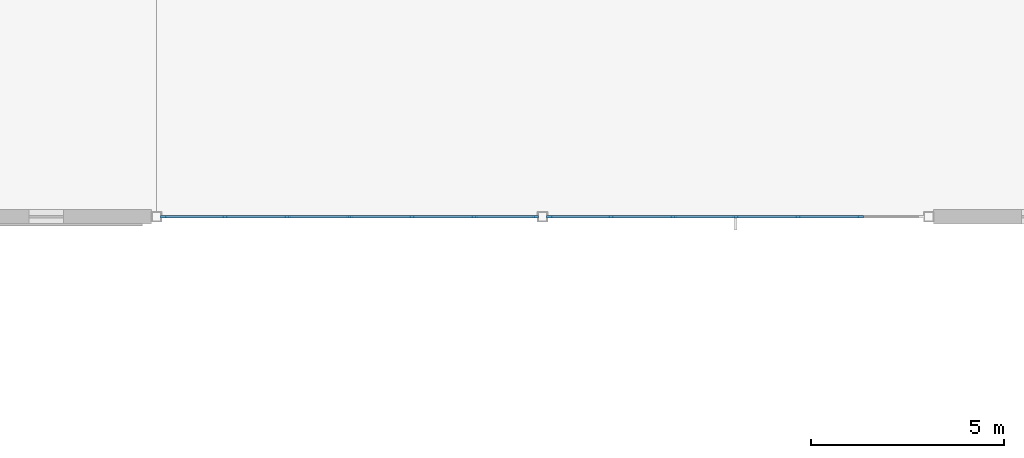
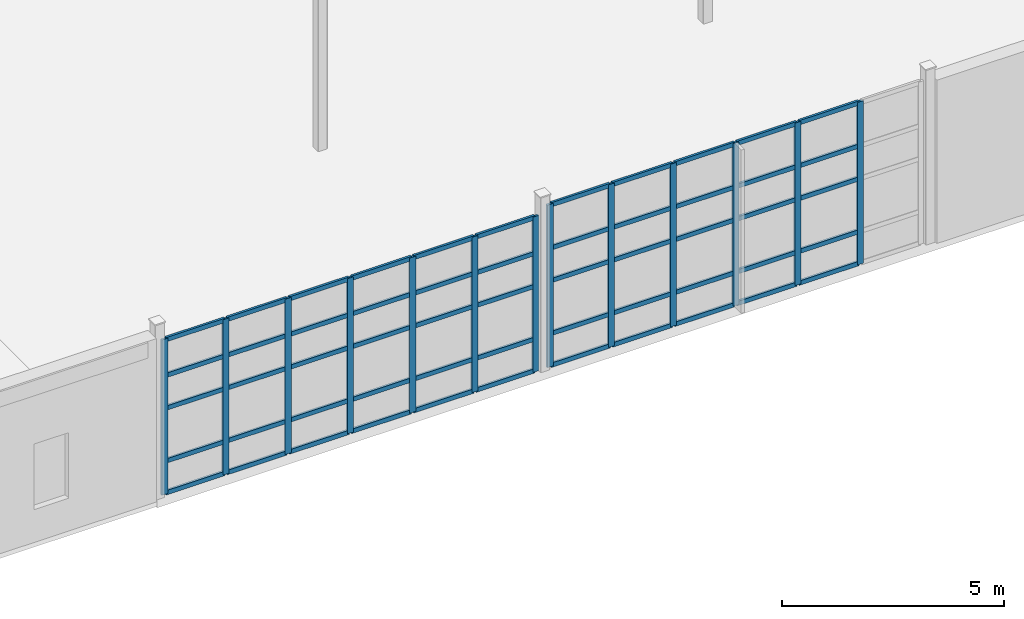
# One storey, part 37 of 139: 68 members, 2 elements without a shape of their own.
"""IFC4 building model written with IfcOpenShell, lengths in metres."""

from ifc_helpers import new_model, si_unit, direction, frame, origin, origin_2d, place, context, subcontext, project, spatial, rectangle, extrude, material, layer, layer_set, material_profile, profile_set, type_object, element, aggregate, save


model = new_model("IFC4")

# Units and contexts
model_context = context("Model", 3, precision=1e-05, world=origin(), true_north=direction((0.0, 1.0)))
body_context = subcontext(model_context, "Body", "Model", "MODEL_VIEW")
ifc_project = project(units=[si_unit("LENGTHUNIT", "METRE"), si_unit("AREAUNIT", "SQUARE_METRE"), si_unit("VOLUMEUNIT", "CUBIC_METRE"), si_unit("PLANEANGLEUNIT", "RADIAN"), si_unit("MASSUNIT", "GRAM", prefix="KILO"), si_unit("THERMODYNAMICTEMPERATUREUNIT", "KELVIN"), si_unit("POWERUNIT", "WATT")], contexts=[model_context])

# Site, building, storey
site_placement = place(None, origin())
site = spatial("IfcSite", under=ifc_project, at=site_placement, CompositionType="ELEMENT")
building_placement = place(site_placement, origin())
building = spatial("IfcBuilding", under=site, at=building_placement, Name="Korenveer Ferry Terminal", CompositionType="ELEMENT")
storey_placement = place(building_placement, frame((0.0, 0.0, 5.39990234375)))
storey = spatial("IfcBuildingStorey", under=building, at=storey_placement, Name="L01", CompositionType="ELEMENT", Elevation=5.39990234375)

# Curtain wall, members
ifc_material_1 = material(Name="Unitised bronze-and-glass curtain wall", Category="glass")
ifc_layer_1 = layer(ifc_material_1, 0.159912109375)
ifc_layer_set_1 = layer_set([ifc_layer_1], Name="Unitised bronze-and-glass curtain wall")
curtain_wall_type_1 = type_object("IfcCurtainWallType", Name="ENV-CW-40", PredefinedType="USERDEFINED", material=ifc_layer_set_1)
curtain_wall_1_placement = place(storey_placement, frame((73.155029296875, 20.0, 0.0)))
curtain_wall_1 = element("IfcCurtainWall", 1, at=curtain_wall_1_placement, inside=storey, type_object=curtain_wall_type_1, Name="Lancet curtain wall CWX-L01-X73-83-Y20-20", ObjectType="UNITISED CURTAIN WALL", PredefinedType="USERDEFINED")
ifc_material_2 = material(Name="Anodised bronze aluminium", Category="aluminium")
ifc_material_profile_1 = material_profile(ifc_material_2, rectangle(XDim=0.06005859375, YDim=0.159912109375, at=origin_2d()), Name="ALU 60x160")
ifc_profile_set_1 = profile_set([ifc_material_profile_1], Name="Anodised bronze aluminium")
member_type_1 = type_object("IfcMemberType", Name="ENV-CWM-60X160", PredefinedType="MULLION", material=ifc_profile_set_1)
member_1_placement = place(storey_placement, frame((73.18505859375, 20.0, 0.0), z_axis=(0.0, 0.0, 1.0), x_axis=(0.0, 1.0, 0.0)))
member_1 = element("IfcMember", 2, at=member_1_placement, type_object=member_type_1, Name="CW-40 mullion 1", PredefinedType="MULLION", context=body_context, shape_type="SweptSolid", body=[
    extrude(rectangle(XDim=0.06005859375, YDim=0.159912109375, at=origin_2d()), origin(), (0.0, 0.0, 1.0), 4.260009765625),
])
member_2_placement = place(storey_placement, frame((74.77001953125, 20.0, 0.0), z_axis=(0.0, 0.0, 1.0), x_axis=(0.0, 1.0, 0.0)))
member_2 = element("IfcMember", 3, at=member_2_placement, type_object=member_type_1, Name="CW-40 mullion 2", PredefinedType="MULLION", context=body_context, shape_type="SweptSolid", body=[
    extrude(rectangle(XDim=0.06005859375, YDim=0.159912109375, at=origin_2d()), origin(), (0.0, 0.0, 1.0), 4.260009765625),
])
member_3_placement = place(storey_placement, frame((76.385009765625, 20.0, 0.0), z_axis=(0.0, 0.0, 1.0), x_axis=(0.0, 1.0, 0.0)))
member_3 = element("IfcMember", 4, at=member_3_placement, type_object=member_type_1, Name="CW-40 mullion 3", PredefinedType="MULLION", context=body_context, shape_type="SweptSolid", body=[
    extrude(rectangle(XDim=0.06005859375, YDim=0.159912109375, at=origin_2d()), origin(), (0.0, 0.0, 1.0), 4.260009765625),
])
member_4_placement = place(storey_placement, frame((78.0, 20.0, 0.0), z_axis=(0.0, 0.0, 1.0), x_axis=(0.0, 1.0, 0.0)))
member_4 = element("IfcMember", 5, at=member_4_placement, type_object=member_type_1, Name="CW-40 mullion 4", PredefinedType="MULLION", context=body_context, shape_type="SweptSolid", body=[
    extrude(rectangle(XDim=0.06005859375, YDim=0.159912109375, at=origin_2d()), origin(), (0.0, 0.0, 1.0), 4.260009765625),
])
member_5_placement = place(storey_placement, frame((79.614990234375, 20.0, 0.0), z_axis=(0.0, 0.0, 1.0), x_axis=(0.0, 1.0, 0.0)))
member_5 = element("IfcMember", 6, at=member_5_placement, type_object=member_type_1, Name="CW-40 mullion 5", PredefinedType="MULLION", context=body_context, shape_type="SweptSolid", body=[
    extrude(rectangle(XDim=0.06005859375, YDim=0.159912109375, at=origin_2d()), origin(), (0.0, 0.0, 1.0), 4.260009765625),
])
member_6_placement = place(storey_placement, frame((81.22998046875, 20.0, 0.0), z_axis=(0.0, 0.0, 1.0), x_axis=(0.0, 1.0, 0.0)))
member_6 = element("IfcMember", 7, at=member_6_placement, type_object=member_type_1, Name="CW-40 mullion 6", PredefinedType="MULLION", context=body_context, shape_type="SweptSolid", body=[
    extrude(rectangle(XDim=0.06005859375, YDim=0.159912109375, at=origin_2d()), origin(), (0.0, 0.0, 1.0), 4.260009765625),
])
member_7_placement = place(storey_placement, frame((82.81494140625, 20.0, 0.0), z_axis=(0.0, 0.0, 1.0), x_axis=(0.0, 1.0, 0.0)))
member_7 = element("IfcMember", 8, at=member_7_placement, type_object=member_type_1, Name="CW-40 mullion 7", PredefinedType="MULLION", context=body_context, shape_type="SweptSolid", body=[
    extrude(rectangle(XDim=0.06005859375, YDim=0.159912109375, at=origin_2d()), origin(), (0.0, 0.0, 1.0), 4.260009765625),
])

ifc_layer_2 = layer(ifc_material_1, 0.159912109375)
ifc_layer_set_2 = layer_set([ifc_layer_2], Name="Unitised bronze-and-glass curtain wall")
curtain_wall_type_2 = type_object("IfcCurtainWallType", Name="ENV-CW-41", PredefinedType="USERDEFINED", material=ifc_layer_set_2)
curtain_wall_2_placement = place(storey_placement, frame((83.155029296875, 20.0, 0.0)))
curtain_wall_2 = element("IfcCurtainWall", 9, at=curtain_wall_2_placement, inside=storey, type_object=curtain_wall_type_2, Name="Lancet curtain wall CWX-L01-X83-93-Y20-20", ObjectType="UNITISED CURTAIN WALL", PredefinedType="USERDEFINED")
member_8_placement = place(storey_placement, frame((83.18505859375, 20.0, 0.0), z_axis=(0.0, 0.0, 1.0), x_axis=(0.0, 1.0, 0.0)))
member_8 = element("IfcMember", 10, at=member_8_placement, type_object=member_type_1, Name="CW-41 mullion 1", PredefinedType="MULLION", context=body_context, shape_type="SweptSolid", body=[
    extrude(rectangle(XDim=0.06005859375, YDim=0.159912109375, at=origin_2d()), origin(), (0.0, 0.0, 1.0), 4.460205078125),
])
member_9_placement = place(storey_placement, frame((84.77001953125, 20.0, 0.0), z_axis=(0.0, 0.0, 1.0), x_axis=(0.0, 1.0, 0.0)))
member_9 = element("IfcMember", 11, at=member_9_placement, type_object=member_type_1, Name="CW-41 mullion 2", PredefinedType="MULLION", context=body_context, shape_type="SweptSolid", body=[
    extrude(rectangle(XDim=0.06005859375, YDim=0.159912109375, at=origin_2d()), origin(), (0.0, 0.0, 1.0), 4.460205078125),
])
member_10_placement = place(storey_placement, frame((86.385009765625, 20.0, 0.0), z_axis=(0.0, 0.0, 1.0), x_axis=(0.0, 1.0, 0.0)))
member_10 = element("IfcMember", 12, at=member_10_placement, type_object=member_type_1, Name="CW-41 mullion 3", PredefinedType="MULLION", context=body_context, shape_type="SweptSolid", body=[
    extrude(rectangle(XDim=0.06005859375, YDim=0.159912109375, at=origin_2d()), origin(), (0.0, 0.0, 1.0), 4.460205078125),
])
member_11_placement = place(storey_placement, frame((88.0, 20.0, 0.0), z_axis=(0.0, 0.0, 1.0), x_axis=(0.0, 1.0, 0.0)))
member_11 = element("IfcMember", 13, at=member_11_placement, type_object=member_type_1, Name="CW-41 mullion 4", PredefinedType="MULLION", context=body_context, shape_type="SweptSolid", body=[
    extrude(rectangle(XDim=0.06005859375, YDim=0.159912109375, at=origin_2d()), origin(), (0.0, 0.0, 1.0), 4.460205078125),
])
member_12_placement = place(storey_placement, frame((89.614990234375, 20.0, 0.0), z_axis=(0.0, 0.0, 1.0), x_axis=(0.0, 1.0, 0.0)))
member_12 = element("IfcMember", 14, at=member_12_placement, type_object=member_type_1, Name="CW-41 mullion 5", PredefinedType="MULLION", context=body_context, shape_type="SweptSolid", body=[
    extrude(rectangle(XDim=0.06005859375, YDim=0.159912109375, at=origin_2d()), origin(), (0.0, 0.0, 1.0), 4.460205078125),
])
member_13_placement = place(storey_placement, frame((91.22998046875, 20.0, 0.0), z_axis=(0.0, 0.0, 1.0), x_axis=(0.0, 1.0, 0.0)))
member_13 = element("IfcMember", 15, at=member_13_placement, type_object=member_type_1, Name="CW-41 mullion 6", PredefinedType="MULLION", context=body_context, shape_type="SweptSolid", body=[
    extrude(rectangle(XDim=0.06005859375, YDim=0.159912109375, at=origin_2d()), origin(), (0.0, 0.0, 1.0), 4.460205078125),
])

# Member
ifc_material_profile_2 = material_profile(ifc_material_2, rectangle(XDim=0.06005859375, YDim=0.1201171875, at=origin_2d()), Name="ALU 60x120")
ifc_profile_set_2 = profile_set([ifc_material_profile_2], Name="Anodised bronze aluminium")
member_type_2 = type_object("IfcMemberType", Name="ENV-CWT-60X120", PredefinedType="USERDEFINED", material=ifc_profile_set_2)
member_14_placement = place(storey_placement, frame((73.215087890625, 20.0, 0.030029296875), z_axis=(1.0, 0.0, 0.0), x_axis=(0.0, 1.0, 0.0)))
member_14 = element("IfcMember", 16, at=member_14_placement, type_object=member_type_2, Name="CW-40 transom 1.1", ObjectType="TRANSOM", PredefinedType="USERDEFINED", context=body_context, shape_type="SweptSolid", body=[
    extrude(rectangle(XDim=0.06005859375, YDim=0.1201171875, at=origin_2d()), origin(), (0.0, 0.0, 1.0), 1.52490234375),
])

member_15_placement = place(storey_placement, frame((73.215087890625, 20.0, 0.900146484375), z_axis=(1.0, 0.0, 0.0), x_axis=(0.0, 1.0, 0.0)))
member_15 = element("IfcMember", 17, at=member_15_placement, type_object=member_type_2, Name="CW-40 transom 1.2", ObjectType="TRANSOM", PredefinedType="USERDEFINED", context=body_context, shape_type="SweptSolid", body=[
    extrude(rectangle(XDim=0.06005859375, YDim=0.1201171875, at=origin_2d()), origin(), (0.0, 0.0, 1.0), 1.52490234375),
])

member_16_placement = place(storey_placement, frame((73.215087890625, 20.0, 2.35009765625), z_axis=(1.0, 0.0, 0.0), x_axis=(0.0, 1.0, 0.0)))
member_16 = element("IfcMember", 18, at=member_16_placement, type_object=member_type_2, Name="CW-40 transom 1.3", ObjectType="TRANSOM", PredefinedType="USERDEFINED", context=body_context, shape_type="SweptSolid", body=[
    extrude(rectangle(XDim=0.06005859375, YDim=0.1201171875, at=origin_2d()), origin(), (0.0, 0.0, 1.0), 1.52490234375),
])

member_17_placement = place(storey_placement, frame((73.215087890625, 20.0, 3.25), z_axis=(1.0, 0.0, 0.0), x_axis=(0.0, 1.0, 0.0)))
member_17 = element("IfcMember", 19, at=member_17_placement, type_object=member_type_2, Name="CW-40 transom 1.4", ObjectType="TRANSOM", PredefinedType="USERDEFINED", context=body_context, shape_type="SweptSolid", body=[
    extrude(rectangle(XDim=0.06005859375, YDim=0.1201171875, at=origin_2d()), origin(), (0.0, 0.0, 1.0), 1.52490234375),
])

member_18_placement = place(storey_placement, frame((73.215087890625, 20.0, 4.22998046875), z_axis=(1.0, 0.0, 0.0), x_axis=(0.0, 1.0, 0.0)))
member_18 = element("IfcMember", 20, at=member_18_placement, type_object=member_type_2, Name="CW-40 transom 1.5", ObjectType="TRANSOM", PredefinedType="USERDEFINED", context=body_context, shape_type="SweptSolid", body=[
    extrude(rectangle(XDim=0.06005859375, YDim=0.1201171875, at=origin_2d()), origin(), (0.0, 0.0, 1.0), 1.52490234375),
])

member_19_placement = place(storey_placement, frame((74.800048828125, 20.0, 0.030029296875), z_axis=(1.0, 0.0, 0.0), x_axis=(0.0, 1.0, 0.0)))
member_19 = element("IfcMember", 21, at=member_19_placement, type_object=member_type_2, Name="CW-40 transom 2.1", ObjectType="TRANSOM", PredefinedType="USERDEFINED", context=body_context, shape_type="SweptSolid", body=[
    extrude(rectangle(XDim=0.06005859375, YDim=0.1201171875, at=origin_2d()), origin(), (0.0, 0.0, 1.0), 1.554931640625),
])

member_20_placement = place(storey_placement, frame((74.800048828125, 20.0, 0.900146484375), z_axis=(1.0, 0.0, 0.0), x_axis=(0.0, 1.0, 0.0)))
member_20 = element("IfcMember", 22, at=member_20_placement, type_object=member_type_2, Name="CW-40 transom 2.2", ObjectType="TRANSOM", PredefinedType="USERDEFINED", context=body_context, shape_type="SweptSolid", body=[
    extrude(rectangle(XDim=0.06005859375, YDim=0.1201171875, at=origin_2d()), origin(), (0.0, 0.0, 1.0), 1.554931640625),
])

member_21_placement = place(storey_placement, frame((74.800048828125, 20.0, 2.35009765625), z_axis=(1.0, 0.0, 0.0), x_axis=(0.0, 1.0, 0.0)))
member_21 = element("IfcMember", 23, at=member_21_placement, type_object=member_type_2, Name="CW-40 transom 2.3", ObjectType="TRANSOM", PredefinedType="USERDEFINED", context=body_context, shape_type="SweptSolid", body=[
    extrude(rectangle(XDim=0.06005859375, YDim=0.1201171875, at=origin_2d()), origin(), (0.0, 0.0, 1.0), 1.554931640625),
])

member_22_placement = place(storey_placement, frame((74.800048828125, 20.0, 3.25), z_axis=(1.0, 0.0, 0.0), x_axis=(0.0, 1.0, 0.0)))
member_22 = element("IfcMember", 24, at=member_22_placement, type_object=member_type_2, Name="CW-40 transom 2.4", ObjectType="TRANSOM", PredefinedType="USERDEFINED", context=body_context, shape_type="SweptSolid", body=[
    extrude(rectangle(XDim=0.06005859375, YDim=0.1201171875, at=origin_2d()), origin(), (0.0, 0.0, 1.0), 1.554931640625),
])

member_23_placement = place(storey_placement, frame((74.800048828125, 20.0, 4.22998046875), z_axis=(1.0, 0.0, 0.0), x_axis=(0.0, 1.0, 0.0)))
member_23 = element("IfcMember", 25, at=member_23_placement, type_object=member_type_2, Name="CW-40 transom 2.5", ObjectType="TRANSOM", PredefinedType="USERDEFINED", context=body_context, shape_type="SweptSolid", body=[
    extrude(rectangle(XDim=0.06005859375, YDim=0.1201171875, at=origin_2d()), origin(), (0.0, 0.0, 1.0), 1.554931640625),
])

member_24_placement = place(storey_placement, frame((76.4150390625, 20.0, 0.030029296875), z_axis=(1.0, 0.0, 0.0), x_axis=(0.0, 1.0, 0.0)))
member_24 = element("IfcMember", 26, at=member_24_placement, type_object=member_type_2, Name="CW-40 transom 3.1", ObjectType="TRANSOM", PredefinedType="USERDEFINED", context=body_context, shape_type="SweptSolid", body=[
    extrude(rectangle(XDim=0.06005859375, YDim=0.1201171875, at=origin_2d()), origin(), (0.0, 0.0, 1.0), 1.554931640625),
])

member_25_placement = place(storey_placement, frame((76.4150390625, 20.0, 0.900146484375), z_axis=(1.0, 0.0, 0.0), x_axis=(0.0, 1.0, 0.0)))
member_25 = element("IfcMember", 27, at=member_25_placement, type_object=member_type_2, Name="CW-40 transom 3.2", ObjectType="TRANSOM", PredefinedType="USERDEFINED", context=body_context, shape_type="SweptSolid", body=[
    extrude(rectangle(XDim=0.06005859375, YDim=0.1201171875, at=origin_2d()), origin(), (0.0, 0.0, 1.0), 1.554931640625),
])

member_26_placement = place(storey_placement, frame((76.4150390625, 20.0, 2.35009765625), z_axis=(1.0, 0.0, 0.0), x_axis=(0.0, 1.0, 0.0)))
member_26 = element("IfcMember", 28, at=member_26_placement, type_object=member_type_2, Name="CW-40 transom 3.3", ObjectType="TRANSOM", PredefinedType="USERDEFINED", context=body_context, shape_type="SweptSolid", body=[
    extrude(rectangle(XDim=0.06005859375, YDim=0.1201171875, at=origin_2d()), origin(), (0.0, 0.0, 1.0), 1.554931640625),
])

member_27_placement = place(storey_placement, frame((76.4150390625, 20.0, 3.25), z_axis=(1.0, 0.0, 0.0), x_axis=(0.0, 1.0, 0.0)))
member_27 = element("IfcMember", 29, at=member_27_placement, type_object=member_type_2, Name="CW-40 transom 3.4", ObjectType="TRANSOM", PredefinedType="USERDEFINED", context=body_context, shape_type="SweptSolid", body=[
    extrude(rectangle(XDim=0.06005859375, YDim=0.1201171875, at=origin_2d()), origin(), (0.0, 0.0, 1.0), 1.554931640625),
])

member_28_placement = place(storey_placement, frame((76.4150390625, 20.0, 4.22998046875), z_axis=(1.0, 0.0, 0.0), x_axis=(0.0, 1.0, 0.0)))
member_28 = element("IfcMember", 30, at=member_28_placement, type_object=member_type_2, Name="CW-40 transom 3.5", ObjectType="TRANSOM", PredefinedType="USERDEFINED", context=body_context, shape_type="SweptSolid", body=[
    extrude(rectangle(XDim=0.06005859375, YDim=0.1201171875, at=origin_2d()), origin(), (0.0, 0.0, 1.0), 1.554931640625),
])

member_29_placement = place(storey_placement, frame((78.030029296875, 20.0, 0.030029296875), z_axis=(1.0, 0.0, 0.0), x_axis=(0.0, 1.0, 0.0)))
member_29 = element("IfcMember", 31, at=member_29_placement, type_object=member_type_2, Name="CW-40 transom 4.1", ObjectType="TRANSOM", PredefinedType="USERDEFINED", context=body_context, shape_type="SweptSolid", body=[
    extrude(rectangle(XDim=0.06005859375, YDim=0.1201171875, at=origin_2d()), origin(), (0.0, 0.0, 1.0), 1.554931640625),
])

member_30_placement = place(storey_placement, frame((78.030029296875, 20.0, 0.900146484375), z_axis=(1.0, 0.0, 0.0), x_axis=(0.0, 1.0, 0.0)))
member_30 = element("IfcMember", 32, at=member_30_placement, type_object=member_type_2, Name="CW-40 transom 4.2", ObjectType="TRANSOM", PredefinedType="USERDEFINED", context=body_context, shape_type="SweptSolid", body=[
    extrude(rectangle(XDim=0.06005859375, YDim=0.1201171875, at=origin_2d()), origin(), (0.0, 0.0, 1.0), 1.554931640625),
])

member_31_placement = place(storey_placement, frame((78.030029296875, 20.0, 2.35009765625), z_axis=(1.0, 0.0, 0.0), x_axis=(0.0, 1.0, 0.0)))
member_31 = element("IfcMember", 33, at=member_31_placement, type_object=member_type_2, Name="CW-40 transom 4.3", ObjectType="TRANSOM", PredefinedType="USERDEFINED", context=body_context, shape_type="SweptSolid", body=[
    extrude(rectangle(XDim=0.06005859375, YDim=0.1201171875, at=origin_2d()), origin(), (0.0, 0.0, 1.0), 1.554931640625),
])

member_32_placement = place(storey_placement, frame((78.030029296875, 20.0, 3.25), z_axis=(1.0, 0.0, 0.0), x_axis=(0.0, 1.0, 0.0)))
member_32 = element("IfcMember", 34, at=member_32_placement, type_object=member_type_2, Name="CW-40 transom 4.4", ObjectType="TRANSOM", PredefinedType="USERDEFINED", context=body_context, shape_type="SweptSolid", body=[
    extrude(rectangle(XDim=0.06005859375, YDim=0.1201171875, at=origin_2d()), origin(), (0.0, 0.0, 1.0), 1.554931640625),
])

member_33_placement = place(storey_placement, frame((78.030029296875, 20.0, 4.22998046875), z_axis=(1.0, 0.0, 0.0), x_axis=(0.0, 1.0, 0.0)))
member_33 = element("IfcMember", 35, at=member_33_placement, type_object=member_type_2, Name="CW-40 transom 4.5", ObjectType="TRANSOM", PredefinedType="USERDEFINED", context=body_context, shape_type="SweptSolid", body=[
    extrude(rectangle(XDim=0.06005859375, YDim=0.1201171875, at=origin_2d()), origin(), (0.0, 0.0, 1.0), 1.554931640625),
])

member_34_placement = place(storey_placement, frame((79.64501953125, 20.0, 0.030029296875), z_axis=(1.0, 0.0, 0.0), x_axis=(0.0, 1.0, 0.0)))
member_34 = element("IfcMember", 36, at=member_34_placement, type_object=member_type_2, Name="CW-40 transom 5.1", ObjectType="TRANSOM", PredefinedType="USERDEFINED", context=body_context, shape_type="SweptSolid", body=[
    extrude(rectangle(XDim=0.06005859375, YDim=0.1201171875, at=origin_2d()), origin(), (0.0, 0.0, 1.0), 1.554931640625),
])

member_35_placement = place(storey_placement, frame((79.64501953125, 20.0, 0.900146484375), z_axis=(1.0, 0.0, 0.0), x_axis=(0.0, 1.0, 0.0)))
member_35 = element("IfcMember", 37, at=member_35_placement, type_object=member_type_2, Name="CW-40 transom 5.2", ObjectType="TRANSOM", PredefinedType="USERDEFINED", context=body_context, shape_type="SweptSolid", body=[
    extrude(rectangle(XDim=0.06005859375, YDim=0.1201171875, at=origin_2d()), origin(), (0.0, 0.0, 1.0), 1.554931640625),
])

member_36_placement = place(storey_placement, frame((79.64501953125, 20.0, 2.35009765625), z_axis=(1.0, 0.0, 0.0), x_axis=(0.0, 1.0, 0.0)))
member_36 = element("IfcMember", 38, at=member_36_placement, type_object=member_type_2, Name="CW-40 transom 5.3", ObjectType="TRANSOM", PredefinedType="USERDEFINED", context=body_context, shape_type="SweptSolid", body=[
    extrude(rectangle(XDim=0.06005859375, YDim=0.1201171875, at=origin_2d()), origin(), (0.0, 0.0, 1.0), 1.554931640625),
])

member_37_placement = place(storey_placement, frame((79.64501953125, 20.0, 3.25), z_axis=(1.0, 0.0, 0.0), x_axis=(0.0, 1.0, 0.0)))
member_37 = element("IfcMember", 39, at=member_37_placement, type_object=member_type_2, Name="CW-40 transom 5.4", ObjectType="TRANSOM", PredefinedType="USERDEFINED", context=body_context, shape_type="SweptSolid", body=[
    extrude(rectangle(XDim=0.06005859375, YDim=0.1201171875, at=origin_2d()), origin(), (0.0, 0.0, 1.0), 1.554931640625),
])

member_38_placement = place(storey_placement, frame((79.64501953125, 20.0, 4.22998046875), z_axis=(1.0, 0.0, 0.0), x_axis=(0.0, 1.0, 0.0)))
member_38 = element("IfcMember", 40, at=member_38_placement, type_object=member_type_2, Name="CW-40 transom 5.5", ObjectType="TRANSOM", PredefinedType="USERDEFINED", context=body_context, shape_type="SweptSolid", body=[
    extrude(rectangle(XDim=0.06005859375, YDim=0.1201171875, at=origin_2d()), origin(), (0.0, 0.0, 1.0), 1.554931640625),
])

member_39_placement = place(storey_placement, frame((81.260009765625, 20.0, 0.030029296875), z_axis=(1.0, 0.0, 0.0), x_axis=(0.0, 1.0, 0.0)))
member_39 = element("IfcMember", 41, at=member_39_placement, type_object=member_type_2, Name="CW-40 transom 6.1", ObjectType="TRANSOM", PredefinedType="USERDEFINED", context=body_context, shape_type="SweptSolid", body=[
    extrude(rectangle(XDim=0.06005859375, YDim=0.1201171875, at=origin_2d()), origin(), (0.0, 0.0, 1.0), 1.52490234375),
])

member_40_placement = place(storey_placement, frame((81.260009765625, 20.0, 0.900146484375), z_axis=(1.0, 0.0, 0.0), x_axis=(0.0, 1.0, 0.0)))
member_40 = element("IfcMember", 42, at=member_40_placement, type_object=member_type_2, Name="CW-40 transom 6.2", ObjectType="TRANSOM", PredefinedType="USERDEFINED", context=body_context, shape_type="SweptSolid", body=[
    extrude(rectangle(XDim=0.06005859375, YDim=0.1201171875, at=origin_2d()), origin(), (0.0, 0.0, 1.0), 1.52490234375),
])

member_41_placement = place(storey_placement, frame((81.260009765625, 20.0, 2.35009765625), z_axis=(1.0, 0.0, 0.0), x_axis=(0.0, 1.0, 0.0)))
member_41 = element("IfcMember", 43, at=member_41_placement, type_object=member_type_2, Name="CW-40 transom 6.3", ObjectType="TRANSOM", PredefinedType="USERDEFINED", context=body_context, shape_type="SweptSolid", body=[
    extrude(rectangle(XDim=0.06005859375, YDim=0.1201171875, at=origin_2d()), origin(), (0.0, 0.0, 1.0), 1.52490234375),
])

member_42_placement = place(storey_placement, frame((81.260009765625, 20.0, 3.25), z_axis=(1.0, 0.0, 0.0), x_axis=(0.0, 1.0, 0.0)))
member_42 = element("IfcMember", 44, at=member_42_placement, type_object=member_type_2, Name="CW-40 transom 6.4", ObjectType="TRANSOM", PredefinedType="USERDEFINED", context=body_context, shape_type="SweptSolid", body=[
    extrude(rectangle(XDim=0.06005859375, YDim=0.1201171875, at=origin_2d()), origin(), (0.0, 0.0, 1.0), 1.52490234375),
])

member_43_placement = place(storey_placement, frame((81.260009765625, 20.0, 4.22998046875), z_axis=(1.0, 0.0, 0.0), x_axis=(0.0, 1.0, 0.0)))
member_43 = element("IfcMember", 45, at=member_43_placement, type_object=member_type_2, Name="CW-40 transom 6.5", ObjectType="TRANSOM", PredefinedType="USERDEFINED", context=body_context, shape_type="SweptSolid", body=[
    extrude(rectangle(XDim=0.06005859375, YDim=0.1201171875, at=origin_2d()), origin(), (0.0, 0.0, 1.0), 1.52490234375),
])

aggregate(curtain_wall_1, [member_1, member_2, member_3, member_4, member_5, member_6, member_7, member_14, member_15, member_16, member_17, member_18, member_19, member_20, member_21, member_22, member_23, member_24, member_25, member_26, member_27, member_28, member_29, member_30, member_31, member_32, member_33, member_34, member_35, member_36, member_37, member_38, member_39, member_40, member_41, member_42, member_43])

member_44_placement = place(storey_placement, frame((83.215087890625, 20.0, 0.030029296875), z_axis=(1.0, 0.0, 0.0), x_axis=(0.0, 1.0, 0.0)))
member_44 = element("IfcMember", 46, at=member_44_placement, type_object=member_type_2, Name="CW-41 transom 1.1", ObjectType="TRANSOM", PredefinedType="USERDEFINED", context=body_context, shape_type="SweptSolid", body=[
    extrude(rectangle(XDim=0.06005859375, YDim=0.1201171875, at=origin_2d()), origin(), (0.0, 0.0, 1.0), 1.52490234375),
])

member_45_placement = place(storey_placement, frame((83.215087890625, 20.0, 0.900146484375), z_axis=(1.0, 0.0, 0.0), x_axis=(0.0, 1.0, 0.0)))
member_45 = element("IfcMember", 47, at=member_45_placement, type_object=member_type_2, Name="CW-41 transom 1.2", ObjectType="TRANSOM", PredefinedType="USERDEFINED", context=body_context, shape_type="SweptSolid", body=[
    extrude(rectangle(XDim=0.06005859375, YDim=0.1201171875, at=origin_2d()), origin(), (0.0, 0.0, 1.0), 1.52490234375),
])

member_46_placement = place(storey_placement, frame((83.215087890625, 20.0, 2.35009765625), z_axis=(1.0, 0.0, 0.0), x_axis=(0.0, 1.0, 0.0)))
member_46 = element("IfcMember", 48, at=member_46_placement, type_object=member_type_2, Name="CW-41 transom 1.3", ObjectType="TRANSOM", PredefinedType="USERDEFINED", context=body_context, shape_type="SweptSolid", body=[
    extrude(rectangle(XDim=0.06005859375, YDim=0.1201171875, at=origin_2d()), origin(), (0.0, 0.0, 1.0), 1.52490234375),
])

member_47_placement = place(storey_placement, frame((83.215087890625, 20.0, 3.25), z_axis=(1.0, 0.0, 0.0), x_axis=(0.0, 1.0, 0.0)))
member_47 = element("IfcMember", 49, at=member_47_placement, type_object=member_type_2, Name="CW-41 transom 1.4", ObjectType="TRANSOM", PredefinedType="USERDEFINED", context=body_context, shape_type="SweptSolid", body=[
    extrude(rectangle(XDim=0.06005859375, YDim=0.1201171875, at=origin_2d()), origin(), (0.0, 0.0, 1.0), 1.52490234375),
])

member_48_placement = place(storey_placement, frame((83.215087890625, 20.0, 4.43017578125), z_axis=(1.0, 0.0, 0.0), x_axis=(0.0, 1.0, 0.0)))
member_48 = element("IfcMember", 50, at=member_48_placement, type_object=member_type_2, Name="CW-41 transom 1.5", ObjectType="TRANSOM", PredefinedType="USERDEFINED", context=body_context, shape_type="SweptSolid", body=[
    extrude(rectangle(XDim=0.06005859375, YDim=0.1201171875, at=origin_2d()), origin(), (0.0, 0.0, 1.0), 1.52490234375),
])

member_49_placement = place(storey_placement, frame((84.800048828125, 20.0, 0.030029296875), z_axis=(1.0, 0.0, 0.0), x_axis=(0.0, 1.0, 0.0)))
member_49 = element("IfcMember", 51, at=member_49_placement, type_object=member_type_2, Name="CW-41 transom 2.1", ObjectType="TRANSOM", PredefinedType="USERDEFINED", context=body_context, shape_type="SweptSolid", body=[
    extrude(rectangle(XDim=0.06005859375, YDim=0.1201171875, at=origin_2d()), origin(), (0.0, 0.0, 1.0), 1.554931640625),
])

member_50_placement = place(storey_placement, frame((84.800048828125, 20.0, 0.900146484375), z_axis=(1.0, 0.0, 0.0), x_axis=(0.0, 1.0, 0.0)))
member_50 = element("IfcMember", 52, at=member_50_placement, type_object=member_type_2, Name="CW-41 transom 2.2", ObjectType="TRANSOM", PredefinedType="USERDEFINED", context=body_context, shape_type="SweptSolid", body=[
    extrude(rectangle(XDim=0.06005859375, YDim=0.1201171875, at=origin_2d()), origin(), (0.0, 0.0, 1.0), 1.554931640625),
])

member_51_placement = place(storey_placement, frame((84.800048828125, 20.0, 2.35009765625), z_axis=(1.0, 0.0, 0.0), x_axis=(0.0, 1.0, 0.0)))
member_51 = element("IfcMember", 53, at=member_51_placement, type_object=member_type_2, Name="CW-41 transom 2.3", ObjectType="TRANSOM", PredefinedType="USERDEFINED", context=body_context, shape_type="SweptSolid", body=[
    extrude(rectangle(XDim=0.06005859375, YDim=0.1201171875, at=origin_2d()), origin(), (0.0, 0.0, 1.0), 1.554931640625),
])

member_52_placement = place(storey_placement, frame((84.800048828125, 20.0, 3.25), z_axis=(1.0, 0.0, 0.0), x_axis=(0.0, 1.0, 0.0)))
member_52 = element("IfcMember", 54, at=member_52_placement, type_object=member_type_2, Name="CW-41 transom 2.4", ObjectType="TRANSOM", PredefinedType="USERDEFINED", context=body_context, shape_type="SweptSolid", body=[
    extrude(rectangle(XDim=0.06005859375, YDim=0.1201171875, at=origin_2d()), origin(), (0.0, 0.0, 1.0), 1.554931640625),
])

member_53_placement = place(storey_placement, frame((84.800048828125, 20.0, 4.43017578125), z_axis=(1.0, 0.0, 0.0), x_axis=(0.0, 1.0, 0.0)))
member_53 = element("IfcMember", 55, at=member_53_placement, type_object=member_type_2, Name="CW-41 transom 2.5", ObjectType="TRANSOM", PredefinedType="USERDEFINED", context=body_context, shape_type="SweptSolid", body=[
    extrude(rectangle(XDim=0.06005859375, YDim=0.1201171875, at=origin_2d()), origin(), (0.0, 0.0, 1.0), 1.554931640625),
])

member_54_placement = place(storey_placement, frame((86.4150390625, 20.0, 0.030029296875), z_axis=(1.0, 0.0, 0.0), x_axis=(0.0, 1.0, 0.0)))
member_54 = element("IfcMember", 56, at=member_54_placement, type_object=member_type_2, Name="CW-41 transom 3.1", ObjectType="TRANSOM", PredefinedType="USERDEFINED", context=body_context, shape_type="SweptSolid", body=[
    extrude(rectangle(XDim=0.06005859375, YDim=0.1201171875, at=origin_2d()), origin(), (0.0, 0.0, 1.0), 1.554931640625),
])

member_55_placement = place(storey_placement, frame((86.4150390625, 20.0, 0.900146484375), z_axis=(1.0, 0.0, 0.0), x_axis=(0.0, 1.0, 0.0)))
member_55 = element("IfcMember", 57, at=member_55_placement, type_object=member_type_2, Name="CW-41 transom 3.2", ObjectType="TRANSOM", PredefinedType="USERDEFINED", context=body_context, shape_type="SweptSolid", body=[
    extrude(rectangle(XDim=0.06005859375, YDim=0.1201171875, at=origin_2d()), origin(), (0.0, 0.0, 1.0), 1.554931640625),
])

member_56_placement = place(storey_placement, frame((86.4150390625, 20.0, 2.35009765625), z_axis=(1.0, 0.0, 0.0), x_axis=(0.0, 1.0, 0.0)))
member_56 = element("IfcMember", 58, at=member_56_placement, type_object=member_type_2, Name="CW-41 transom 3.3", ObjectType="TRANSOM", PredefinedType="USERDEFINED", context=body_context, shape_type="SweptSolid", body=[
    extrude(rectangle(XDim=0.06005859375, YDim=0.1201171875, at=origin_2d()), origin(), (0.0, 0.0, 1.0), 1.554931640625),
])

member_57_placement = place(storey_placement, frame((86.4150390625, 20.0, 3.25), z_axis=(1.0, 0.0, 0.0), x_axis=(0.0, 1.0, 0.0)))
member_57 = element("IfcMember", 59, at=member_57_placement, type_object=member_type_2, Name="CW-41 transom 3.4", ObjectType="TRANSOM", PredefinedType="USERDEFINED", context=body_context, shape_type="SweptSolid", body=[
    extrude(rectangle(XDim=0.06005859375, YDim=0.1201171875, at=origin_2d()), origin(), (0.0, 0.0, 1.0), 1.554931640625),
])

member_58_placement = place(storey_placement, frame((86.4150390625, 20.0, 4.43017578125), z_axis=(1.0, 0.0, 0.0), x_axis=(0.0, 1.0, 0.0)))
member_58 = element("IfcMember", 60, at=member_58_placement, type_object=member_type_2, Name="CW-41 transom 3.5", ObjectType="TRANSOM", PredefinedType="USERDEFINED", context=body_context, shape_type="SweptSolid", body=[
    extrude(rectangle(XDim=0.06005859375, YDim=0.1201171875, at=origin_2d()), origin(), (0.0, 0.0, 1.0), 1.554931640625),
])

member_59_placement = place(storey_placement, frame((88.030029296875, 20.0, 0.030029296875), z_axis=(1.0, 0.0, 0.0), x_axis=(0.0, 1.0, 0.0)))
member_59 = element("IfcMember", 61, at=member_59_placement, type_object=member_type_2, Name="CW-41 transom 4.1", ObjectType="TRANSOM", PredefinedType="USERDEFINED", context=body_context, shape_type="SweptSolid", body=[
    extrude(rectangle(XDim=0.06005859375, YDim=0.1201171875, at=origin_2d()), origin(), (0.0, 0.0, 1.0), 1.554931640625),
])

member_60_placement = place(storey_placement, frame((88.030029296875, 20.0, 0.900146484375), z_axis=(1.0, 0.0, 0.0), x_axis=(0.0, 1.0, 0.0)))
member_60 = element("IfcMember", 62, at=member_60_placement, type_object=member_type_2, Name="CW-41 transom 4.2", ObjectType="TRANSOM", PredefinedType="USERDEFINED", context=body_context, shape_type="SweptSolid", body=[
    extrude(rectangle(XDim=0.06005859375, YDim=0.1201171875, at=origin_2d()), origin(), (0.0, 0.0, 1.0), 1.554931640625),
])

member_61_placement = place(storey_placement, frame((88.030029296875, 20.0, 2.35009765625), z_axis=(1.0, 0.0, 0.0), x_axis=(0.0, 1.0, 0.0)))
member_61 = element("IfcMember", 63, at=member_61_placement, type_object=member_type_2, Name="CW-41 transom 4.3", ObjectType="TRANSOM", PredefinedType="USERDEFINED", context=body_context, shape_type="SweptSolid", body=[
    extrude(rectangle(XDim=0.06005859375, YDim=0.1201171875, at=origin_2d()), origin(), (0.0, 0.0, 1.0), 1.554931640625),
])

member_62_placement = place(storey_placement, frame((88.030029296875, 20.0, 3.25), z_axis=(1.0, 0.0, 0.0), x_axis=(0.0, 1.0, 0.0)))
member_62 = element("IfcMember", 64, at=member_62_placement, type_object=member_type_2, Name="CW-41 transom 4.4", ObjectType="TRANSOM", PredefinedType="USERDEFINED", context=body_context, shape_type="SweptSolid", body=[
    extrude(rectangle(XDim=0.06005859375, YDim=0.1201171875, at=origin_2d()), origin(), (0.0, 0.0, 1.0), 1.554931640625),
])

member_63_placement = place(storey_placement, frame((88.030029296875, 20.0, 4.43017578125), z_axis=(1.0, 0.0, 0.0), x_axis=(0.0, 1.0, 0.0)))
member_63 = element("IfcMember", 65, at=member_63_placement, type_object=member_type_2, Name="CW-41 transom 4.5", ObjectType="TRANSOM", PredefinedType="USERDEFINED", context=body_context, shape_type="SweptSolid", body=[
    extrude(rectangle(XDim=0.06005859375, YDim=0.1201171875, at=origin_2d()), origin(), (0.0, 0.0, 1.0), 1.554931640625),
])

member_64_placement = place(storey_placement, frame((89.64501953125, 20.0, 0.030029296875), z_axis=(1.0, 0.0, 0.0), x_axis=(0.0, 1.0, 0.0)))
member_64 = element("IfcMember", 66, at=member_64_placement, type_object=member_type_2, Name="CW-41 transom 5.1", ObjectType="TRANSOM", PredefinedType="USERDEFINED", context=body_context, shape_type="SweptSolid", body=[
    extrude(rectangle(XDim=0.06005859375, YDim=0.1201171875, at=origin_2d()), origin(), (0.0, 0.0, 1.0), 1.554931640625),
])

member_65_placement = place(storey_placement, frame((89.64501953125, 20.0, 0.900146484375), z_axis=(1.0, 0.0, 0.0), x_axis=(0.0, 1.0, 0.0)))
member_65 = element("IfcMember", 67, at=member_65_placement, type_object=member_type_2, Name="CW-41 transom 5.2", ObjectType="TRANSOM", PredefinedType="USERDEFINED", context=body_context, shape_type="SweptSolid", body=[
    extrude(rectangle(XDim=0.06005859375, YDim=0.1201171875, at=origin_2d()), origin(), (0.0, 0.0, 1.0), 1.554931640625),
])

member_66_placement = place(storey_placement, frame((89.64501953125, 20.0, 2.35009765625), z_axis=(1.0, 0.0, 0.0), x_axis=(0.0, 1.0, 0.0)))
member_66 = element("IfcMember", 68, at=member_66_placement, type_object=member_type_2, Name="CW-41 transom 5.3", ObjectType="TRANSOM", PredefinedType="USERDEFINED", context=body_context, shape_type="SweptSolid", body=[
    extrude(rectangle(XDim=0.06005859375, YDim=0.1201171875, at=origin_2d()), origin(), (0.0, 0.0, 1.0), 1.554931640625),
])

member_67_placement = place(storey_placement, frame((89.64501953125, 20.0, 3.25), z_axis=(1.0, 0.0, 0.0), x_axis=(0.0, 1.0, 0.0)))
member_67 = element("IfcMember", 69, at=member_67_placement, type_object=member_type_2, Name="CW-41 transom 5.4", ObjectType="TRANSOM", PredefinedType="USERDEFINED", context=body_context, shape_type="SweptSolid", body=[
    extrude(rectangle(XDim=0.06005859375, YDim=0.1201171875, at=origin_2d()), origin(), (0.0, 0.0, 1.0), 1.554931640625),
])

member_68_placement = place(storey_placement, frame((89.64501953125, 20.0, 4.43017578125), z_axis=(1.0, 0.0, 0.0), x_axis=(0.0, 1.0, 0.0)))
member_68 = element("IfcMember", 70, at=member_68_placement, type_object=member_type_2, Name="CW-41 transom 5.5", ObjectType="TRANSOM", PredefinedType="USERDEFINED", context=body_context, shape_type="SweptSolid", body=[
    extrude(rectangle(XDim=0.06005859375, YDim=0.1201171875, at=origin_2d()), origin(), (0.0, 0.0, 1.0), 1.554931640625),
])

aggregate(curtain_wall_2, [member_8, member_9, member_10, member_11, member_12, member_13, member_44, member_45, member_46, member_47, member_48, member_49, member_50, member_51, member_52, member_53, member_54, member_55, member_56, member_57, member_58, member_59, member_60, member_61, member_62, member_63, member_64, member_65, member_66, member_67, member_68])

save(model, "model.ifc")
